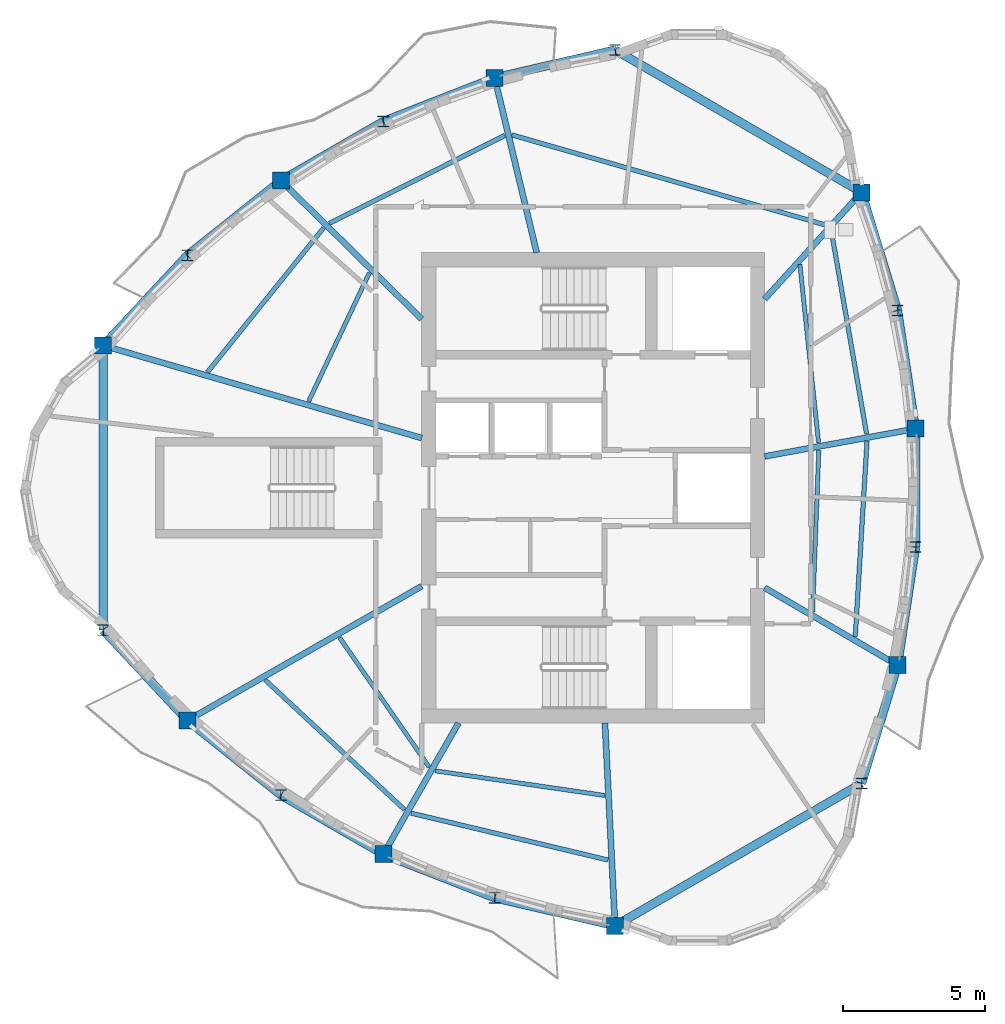
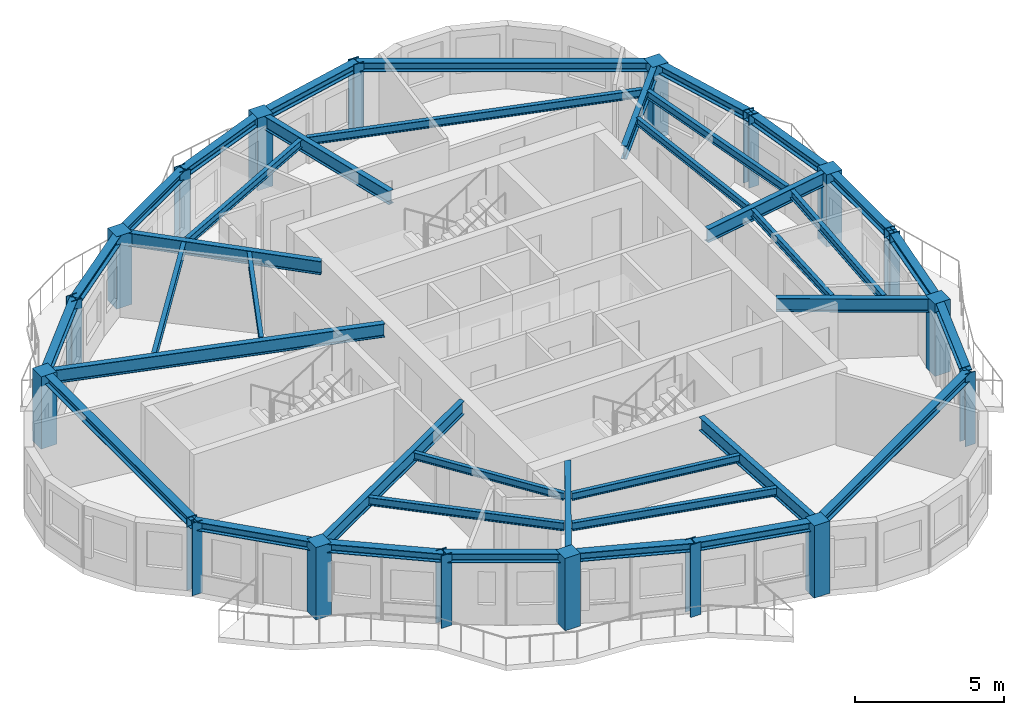
# One storey, part 1 of 11: 39 beams, 18 columns.
"""IFC4 building model written with IfcOpenShell, lengths in metres."""

from ifc_helpers import new_model, si_unit, direction, frame, origin, origin_2d, place, context, subcontext, project, spatial, rectangle, i_section, extrude, source, transform, mapped, material, material_profile, profile_set, type_object, element, save


model = new_model("IFC4")

# Units and contexts
model_context = context("Model", 3, precision=1e-05, world=origin(), true_north=direction((0.0, 1.0)))
body_context = subcontext(model_context, "Body", "Model", "MODEL_VIEW")
ifc_project = project(units=[si_unit("LENGTHUNIT", "METRE"), si_unit("AREAUNIT", "SQUARE_METRE"), si_unit("VOLUMEUNIT", "CUBIC_METRE"), si_unit("PLANEANGLEUNIT", "RADIAN"), si_unit("MASSUNIT", "GRAM", prefix="KILO")], contexts=[model_context])

# Site, building, storey
site_placement = place(None, origin())
site = spatial("IfcSite", under=ifc_project, at=site_placement, CompositionType="ELEMENT")
building_placement = place(site_placement, origin())
building = spatial("IfcBuilding", under=site, at=building_placement, Name="Qafzar Sky-Pleat Residences", CompositionType="ELEMENT")
storey_placement = place(building_placement, frame((0.0, 0.0, 230.800048828125)))
storey = spatial("IfcBuildingStorey", under=building, at=storey_placement, Name="L69", CompositionType="ELEMENT", Elevation=230.800048828125)

# Columns
ifc_material_1 = material(Name="Concrete C50/60", Category="concrete")
ifc_material_profile_1 = material_profile(ifc_material_1, rectangle(XDim=0.60009765625, YDim=0.60009765625, at=origin_2d()), Name="RC 600x600")
ifc_profile_set_1 = profile_set([ifc_material_profile_1], Name="Concrete C50/60")
column_type_1 = type_object("IfcColumnType", Name="COL-RC-600", PredefinedType="COLUMN", material=ifc_profile_set_1)
shared_shape_1 = source(origin(), body_context, "Body", "SweptSolid", [
    extrude(rectangle(XDim=0.60009765625, YDim=0.60009765625, at=origin_2d()), origin(), (0.0, 0.0, 1.0), 2.9599609375),
])
for number, where, z_axis, x_axis, name in (
    (1, (13.054931640625, 31.02294921875, 0.0), (0.0, 0.0, 1.0), (1.0, 0.0, 0.0), "L69 Perimeter Mega Column 1"),
    (2, (16.0341796875, 17.792236328125, 0.0), (0.0, 0.0, 1.0), (1.0, 0.0, 0.0), "L69 Perimeter Mega Column 3"),
    (3, (22.944091796875, 13.070556640625, 0.0), (0.0, 0.0, 1.0), (1.0, 0.0, 0.0), "L69 Perimeter Mega Column 5"),
    (4, (31.12255859375, 10.5458984375, 0.0), (0.0, 0.0, 1.0), (1.0, 0.0, 0.0), "L69 Perimeter Mega Column 7"),
    (5, (41.0908203125, 19.7412109375, 0.0), (0.0, 0.0, 1.0), (1.0, 0.0, 0.0), "L69 Perimeter Mega Column 9"),
    (6, (41.72509765625, 28.086181640625, 0.0), (0.0, 0.0, 1.0), (1.0, 0.0, 0.0), "L69 Perimeter Mega Column 11"),
    (7, (39.822509765625, 36.431396484375, 0.0), (0.0, 0.0, 1.0), (1.0, 0.0, 0.0), "L69 Perimeter Mega Column 13"),
    (8, (26.874755859375, 40.466552734375, 0.0), (0.0, 0.0, 1.0), (1.0, 0.0, 0.0), "L69 Perimeter Mega Column 15"),
    (9, (19.330810546875, 36.84326171875, 0.0), (0.0, 0.0, 1.0), (1.0, 0.0, 0.0), "L69 Perimeter Mega Column 17"),
):
    element("IfcColumn", number, at=place(storey_placement, frame(where, z_axis=z_axis, x_axis=x_axis)), inside=storey, type_object=column_type_1, Name=name, PredefinedType="COLUMN", context=body_context, shape_type="MappedRepresentation", body=[
        mapped(shared_shape_1, transform((0.0, 0.0, 0.0), x_axis=(1.0, 0.0, 0.0), y_axis=(0.0, 1.0, 0.0), z_axis=(0.0, 0.0, 1.0), scale=1.0)),
    ])
ifc_material_2 = material(Name="Steel S355", Category="steel")
ifc_material_profile_2 = material_profile(ifc_material_2, i_section(OverallWidth=0.39794921875, OverallDepth=0.386962890625, WebThickness=0.01904296875, FlangeThickness=0.030029296875, FilletRadius=0.014892578125, at=origin_2d()), Name="HD 400x262")
ifc_profile_set_2 = profile_set([ifc_material_profile_2], Name="Steel S355")
column_type_2 = type_object("IfcColumnType", Name="COL-STL-HD262", PredefinedType="PILASTER", material=ifc_profile_set_2)
shared_shape_2 = source(origin(), body_context, "Body", "SweptSolid", [
    extrude(i_section(OverallWidth=0.39794921875, OverallDepth=0.386962890625, WebThickness=0.01904296875, FlangeThickness=0.030029296875, FilletRadius=0.014892578125, at=origin_2d()), origin(), (0.0, 0.0, 1.0), 2.9599609375),
])
for number, where, z_axis, x_axis, name in (
    (10, (13.054931640625, 20.97705078125, 0.0), (0.0, 0.0, 1.0), (1.0, 0.0, 0.0), "L69 Perimeter Mega Column 2"),
    (11, (19.330810546875, 15.15673828125, 0.0), (0.0, 0.0, 1.0), (1.0, 0.0, 0.0), "L69 Perimeter Mega Column 4"),
    (12, (26.874755859375, 11.533447265625, 0.0), (0.0, 0.0, 1.0), (1.0, 0.0, 0.0), "L69 Perimeter Mega Column 6"),
    (13, (39.822509765625, 15.568603515625, 0.0), (0.0, 0.0, 1.0), (1.0, 0.0, 0.0), "L69 Perimeter Mega Column 8"),
    (14, (41.72509765625, 23.913818359375, 0.0), (0.0, 0.0, 1.0), (1.0, 0.0, 0.0), "L69 Perimeter Mega Column 10"),
    (15, (41.0908203125, 32.2587890625, 0.0), (0.0, 0.0, 1.0), (1.0, 0.0, 0.0), "L69 Perimeter Mega Column 12"),
    (16, (31.12255859375, 41.4541015625, 0.0), (0.0, 0.0, 1.0), (1.0, 0.0, 0.0), "L69 Perimeter Mega Column 14"),
    (17, (22.944091796875, 38.929443359375, 0.0), (0.0, 0.0, 1.0), (1.0, 0.0, 0.0), "L69 Perimeter Mega Column 16"),
    (18, (16.0341796875, 34.207763671875, 0.0), (0.0, 0.0, 1.0), (1.0, 0.0, 0.0), "L69 Perimeter Mega Column 18"),
):
    element("IfcColumn", number, at=place(storey_placement, frame(where, z_axis=z_axis, x_axis=x_axis)), inside=storey, type_object=column_type_2, Name=name, PredefinedType="PILASTER", context=body_context, shape_type="MappedRepresentation", body=[
        mapped(shared_shape_2, transform((0.0, 0.0, 0.0), x_axis=(1.0, 0.0, 0.0), y_axis=(0.0, 1.0, 0.0), z_axis=(0.0, 0.0, 1.0), scale=1.0)),
    ])

# Beams
ifc_material_profile_3 = material_profile(ifc_material_2, i_section(OverallWidth=0.300048828125, OverallDepth=0.360107421875, WebThickness=0.012451171875, FlangeThickness=0.0224609375, FilletRadius=0.027099609375, at=origin_2d()), Name="HEB 360")
ifc_profile_set_3 = profile_set([ifc_material_profile_3], Name="Steel S355")
beam_type_1 = type_object("IfcBeamType", Name="BM-SPAN-HEB360", PredefinedType="SPANDREL", material=ifc_profile_set_3)
shared_shape_3 = source(origin(), body_context, "Body", "SweptSolid", [
    extrude(i_section(OverallWidth=0.300048828125, OverallDepth=0.360107421875, WebThickness=0.012451171875, FlangeThickness=0.0224609375, FilletRadius=0.027099609375, at=origin_2d()), origin(), (0.0, 0.0, 1.0), 10.0458984375),
])
beam_1_placement = place(storey_placement, frame((13.054931640625, 31.02294921875, 2.77783203125), z_axis=(0.0, -1.0, 0.0), x_axis=(1.0, 0.0, 0.0)))
element("IfcBeam", 19, at=beam_1_placement, inside=storey, type_object=beam_type_1, Name="L69 Perimeter Spandrel Beam 1", PredefinedType="SPANDREL", context=body_context, shape_type="MappedRepresentation", body=[
    mapped(shared_shape_3, transform((0.0, 0.0, 0.0), x_axis=(1.0, 0.0, 0.0), y_axis=(0.0, 1.0, 0.0), z_axis=(0.0, 0.0, 1.0), scale=1.0)),
])
shared_shape_4 = source(origin(), body_context, "Body", "SweptSolid", [
    extrude(i_section(OverallWidth=0.300048828125, OverallDepth=0.360107421875, WebThickness=0.012451171875, FlangeThickness=0.0224609375, FilletRadius=0.027099609375, at=origin_2d()), origin(), (0.0, 0.0, 1.0), 4.361083984375),
])
for number, where, z_axis, x_axis, name in (
    (20, (13.054931640625, 20.97705078125, 2.77783203125), (0.683145571965, -0.730282224558, 0.0), (0.730282224558, 0.683145571965, 0.0), "L69 Perimeter Spandrel Beam 2"),
    (21, (26.874755859375, 11.533447265625, 2.77783203125), (0.974023822453, -0.226445563643, 0.0), (0.226445563643, 0.974023822453, 0.0), "L69 Perimeter Spandrel Beam 6"),
    (22, (39.822509765625, 15.568603515625, 2.77783203125), (0.290822997681, 0.956776872641, 0.0), (-0.956776872641, 0.290822997681, 0.0), "L69 Perimeter Spandrel Beam 8"),
    (23, (41.0908203125, 32.2587890625, 2.77783203125), (-0.290822997681, 0.956776872641, 0.0), (-0.956776872641, -0.290822997681, 0.0), "L69 Perimeter Spandrel Beam 12"),
    (24, (31.12255859375, 41.4541015625, 2.77783203125), (-0.974023822453, -0.226445563643, 0.0), (0.226445563643, -0.974023822453, 0.0), "L69 Perimeter Spandrel Beam 14"),
    (25, (16.0341796875, 34.207763671875, 2.77783203125), (-0.683145571965, -0.730282224558, 0.0), (0.730282224558, -0.683145571965, 0.0), "L69 Perimeter Spandrel Beam 18"),
):
    element("IfcBeam", number, at=place(storey_placement, frame(where, z_axis=z_axis, x_axis=x_axis)), inside=storey, type_object=beam_type_1, Name=name, PredefinedType="SPANDREL", context=body_context, shape_type="MappedRepresentation", body=[
        mapped(shared_shape_4, transform((0.0, 0.0, 0.0), x_axis=(1.0, 0.0, 0.0), y_axis=(0.0, 1.0, 0.0), z_axis=(0.0, 0.0, 1.0), scale=1.0)),
    ])
shared_shape_5 = source(origin(), body_context, "Body", "SweptSolid", [
    extrude(i_section(OverallWidth=0.300048828125, OverallDepth=0.360107421875, WebThickness=0.012451171875, FlangeThickness=0.0224609375, FilletRadius=0.027099609375, at=origin_2d()), origin(), (0.0, 0.0, 1.0), 4.220703125),
])
for number, where, z_axis, x_axis, name in (
    (26, (16.0341796875, 17.792236328125, 2.77783203125), (0.781077571238, -0.624434005888, 0.0), (0.624434005888, 0.781077571238, 0.0), "L69 Perimeter Spandrel Beam 3"),
    (27, (19.330810546875, 36.84326171875, 2.77783203125), (-0.781077571238, -0.624434005888, 0.0), (0.624434005888, -0.781077571238, 0.0), "L69 Perimeter Spandrel Beam 17"),
):
    element("IfcBeam", number, at=place(storey_placement, frame(where, z_axis=z_axis, x_axis=x_axis)), inside=storey, type_object=beam_type_1, Name=name, PredefinedType="SPANDREL", context=body_context, shape_type="MappedRepresentation", body=[
        mapped(shared_shape_5, transform((0.0, 0.0, 0.0), x_axis=(1.0, 0.0, 0.0), y_axis=(0.0, 1.0, 0.0), z_axis=(0.0, 0.0, 1.0), scale=1.0)),
    ])
shared_shape_6 = source(origin(), body_context, "Body", "SweptSolid", [
    extrude(i_section(OverallWidth=0.300048828125, OverallDepth=0.360107421875, WebThickness=0.012451171875, FlangeThickness=0.0224609375, FilletRadius=0.027099609375, at=origin_2d()), origin(), (0.0, 0.0, 1.0), 4.17236328125),
])
for number, where, z_axis, x_axis, name in (
    (28, (19.330810546875, 15.15673828125, 2.77783203125), (0.866019930389, -0.500009480079, 0.0), (0.500009480079, 0.866019930389, 0.0), "L69 Perimeter Spandrel Beam 4"),
    (29, (41.72509765625, 23.913818359375, 2.77783203125), (0.0, 1.0, 0.0), (-1.0, 0.0, 0.0), "L69 Perimeter Spandrel Beam 10"),
    (30, (22.944091796875, 38.929443359375, 2.77783203125), (-0.866019930389, -0.500009480079, 0.0), (0.500009480079, -0.866019930389, 0.0), "L69 Perimeter Spandrel Beam 16"),
):
    element("IfcBeam", number, at=place(storey_placement, frame(where, z_axis=z_axis, x_axis=x_axis)), inside=storey, type_object=beam_type_1, Name=name, PredefinedType="SPANDREL", context=body_context, shape_type="MappedRepresentation", body=[
        mapped(shared_shape_6, transform((0.0, 0.0, 0.0), x_axis=(1.0, 0.0, 0.0), y_axis=(0.0, 1.0, 0.0), z_axis=(0.0, 0.0, 1.0), scale=1.0)),
    ])
shared_shape_7 = source(origin(), body_context, "Body", "SweptSolid", [
    extrude(i_section(OverallWidth=0.300048828125, OverallDepth=0.360107421875, WebThickness=0.012451171875, FlangeThickness=0.0224609375, FilletRadius=0.027099609375, at=origin_2d()), origin(), (0.0, 0.0, 1.0), 4.220458984375),
])
for number, where, z_axis, x_axis, name in (
    (31, (22.944091796875, 13.070556640625, 2.77783203125), (0.931321276977, -0.364198680736, 0.0), (0.364198680736, 0.931321276977, 0.0), "L69 Perimeter Spandrel Beam 5"),
    (32, (41.0908203125, 19.7412109375, 2.77783203125), (0.150283446733, 0.988642951544, 0.0), (-0.988642951544, 0.150283446733, 0.0), "L69 Perimeter Spandrel Beam 9"),
    (33, (41.72509765625, 28.086181640625, 2.77783203125), (-0.150283446733, 0.988642951544, 0.0), (-0.988642951544, -0.150283446733, 0.0), "L69 Perimeter Spandrel Beam 11"),
    (34, (26.874755859375, 40.466552734375, 2.77783203125), (-0.931321276977, -0.364198680736, 0.0), (0.364198680736, -0.931321276977, 0.0), "L69 Perimeter Spandrel Beam 15"),
):
    element("IfcBeam", number, at=place(storey_placement, frame(where, z_axis=z_axis, x_axis=x_axis)), inside=storey, type_object=beam_type_1, Name=name, PredefinedType="SPANDREL", context=body_context, shape_type="MappedRepresentation", body=[
        mapped(shared_shape_7, transform((0.0, 0.0, 0.0), x_axis=(1.0, 0.0, 0.0), y_axis=(0.0, 1.0, 0.0), z_axis=(0.0, 0.0, 1.0), scale=1.0)),
    ])
shared_shape_8 = source(origin(), body_context, "Body", "SweptSolid", [
    extrude(i_section(OverallWidth=0.300048828125, OverallDepth=0.360107421875, WebThickness=0.012451171875, FlangeThickness=0.0224609375, FilletRadius=0.027099609375, at=origin_2d()), origin(), (0.0, 0.0, 1.0), 10.045654296875),
])
for number, where, z_axis, x_axis, name in (
    (35, (31.12255859375, 10.5458984375, 2.77783203125), (0.866034631067, 0.499984017537, 0.0), (-0.499984017537, 0.866034631067, 0.0), "L69 Perimeter Spandrel Beam 7"),
    (36, (39.822509765625, 36.431396484375, 2.77783203125), (-0.866034631067, 0.499984017537, 0.0), (-0.499984017537, -0.866034631067, 0.0), "L69 Perimeter Spandrel Beam 13"),
):
    element("IfcBeam", number, at=place(storey_placement, frame(where, z_axis=z_axis, x_axis=x_axis)), inside=storey, type_object=beam_type_1, Name=name, PredefinedType="SPANDREL", context=body_context, shape_type="MappedRepresentation", body=[
        mapped(shared_shape_8, transform((0.0, 0.0, 0.0), x_axis=(1.0, 0.0, 0.0), y_axis=(0.0, 1.0, 0.0), z_axis=(0.0, 0.0, 1.0), scale=1.0)),
    ])
ifc_material_profile_4 = material_profile(ifc_material_2, i_section(OverallWidth=0.2099609375, OverallDepth=0.550048828125, WebThickness=0.010986328125, FlangeThickness=0.01708984375, FilletRadius=0.02392578125, at=origin_2d()), Name="IPE 550")
ifc_profile_set_4 = profile_set([ifc_material_profile_4], Name="Steel S355")
beam_type_2 = type_object("IfcBeamType", Name="BM-SEC-IPE550", PredefinedType="BEAM", material=ifc_profile_set_4)
shared_shape_9 = source(origin(), body_context, "Body", "SweptSolid", [
    extrude(i_section(OverallWidth=0.2099609375, OverallDepth=0.550048828125, WebThickness=0.010986328125, FlangeThickness=0.01708984375, FilletRadius=0.02392578125, at=origin_2d()), origin(), (0.0, 0.0, 1.0), 11.709716796875),
])
beam_2_placement = place(storey_placement, frame((13.054931640625, 31.02294921875, 2.682861328125), z_axis=(0.96031975059, -0.278901374373, 0.0), x_axis=(0.278901374373, 0.96031975059, 0.0)))
element("IfcBeam", 37, at=beam_2_placement, inside=storey, type_object=beam_type_2, Name="L69 Radial Floor Girder 1", PredefinedType="BEAM", context=body_context, shape_type="MappedRepresentation", body=[
    mapped(shared_shape_9, transform((0.0, 0.0, 0.0), x_axis=(1.0, 0.0, 0.0), y_axis=(0.0, 1.0, 0.0), z_axis=(0.0, 0.0, 1.0), scale=1.0)),
])
shared_shape_10 = source(origin(), body_context, "Body", "SweptSolid", [
    extrude(i_section(OverallWidth=0.2099609375, OverallDepth=0.550048828125, WebThickness=0.010986328125, FlangeThickness=0.01708984375, FilletRadius=0.02392578125, at=origin_2d()), origin(), (0.0, 0.0, 1.0), 9.528076171875),
])
beam_3_placement = place(storey_placement, frame((16.0341796875, 17.792236328125, 2.682861328125), z_axis=(0.86753426155, 0.497377427148, 0.0), x_axis=(-0.497377427148, 0.86753426155, 0.0)))
element("IfcBeam", 38, at=beam_3_placement, inside=storey, type_object=beam_type_2, Name="L69 Radial Floor Girder 3", PredefinedType="BEAM", context=body_context, shape_type="MappedRepresentation", body=[
    mapped(shared_shape_10, transform((0.0, 0.0, 0.0), x_axis=(1.0, 0.0, 0.0), y_axis=(0.0, 1.0, 0.0), z_axis=(0.0, 0.0, 1.0), scale=1.0)),
])
shared_shape_11 = source(origin(), body_context, "Body", "SweptSolid", [
    extrude(i_section(OverallWidth=0.2099609375, OverallDepth=0.550048828125, WebThickness=0.010986328125, FlangeThickness=0.01708984375, FilletRadius=0.02392578125, at=origin_2d()), origin(), (0.0, 0.0, 1.0), 5.335205078125),
])
beam_4_placement = place(storey_placement, frame((22.944091796875, 13.070556640625, 2.682861328125), z_axis=(0.497055288621, 0.867718871556, 0.0), x_axis=(-0.867718871556, 0.497055288621, 0.0)))
element("IfcBeam", 39, at=beam_4_placement, inside=storey, type_object=beam_type_2, Name="L69 Radial Floor Girder 5", PredefinedType="BEAM", context=body_context, shape_type="MappedRepresentation", body=[
    mapped(shared_shape_11, transform((0.0, 0.0, 0.0), x_axis=(1.0, 0.0, 0.0), y_axis=(0.0, 1.0, 0.0), z_axis=(0.0, 0.0, 1.0), scale=1.0)),
])
shared_shape_12 = source(origin(), body_context, "Body", "SweptSolid", [
    extrude(i_section(OverallWidth=0.2099609375, OverallDepth=0.550048828125, WebThickness=0.010986328125, FlangeThickness=0.01708984375, FilletRadius=0.02392578125, at=origin_2d()), origin(), (0.0, 0.0, 1.0), 7.1630859375),
])
beam_5_placement = place(storey_placement, frame((31.12255859375, 10.5458984375, 2.682861328125), z_axis=(-0.049932517148, 0.998752593855, 0.0), x_axis=(-0.998752593855, -0.049932517148, 0.0)))
element("IfcBeam", 40, at=beam_5_placement, inside=storey, type_object=beam_type_2, Name="L69 Radial Floor Girder 7", PredefinedType="BEAM", context=body_context, shape_type="MappedRepresentation", body=[
    mapped(shared_shape_12, transform((0.0, 0.0, 0.0), x_axis=(1.0, 0.0, 0.0), y_axis=(0.0, 1.0, 0.0), z_axis=(0.0, 0.0, 1.0), scale=1.0)),
])
shared_shape_13 = source(origin(), body_context, "Body", "SweptSolid", [
    extrude(i_section(OverallWidth=0.2099609375, OverallDepth=0.550048828125, WebThickness=0.010986328125, FlangeThickness=0.01708984375, FilletRadius=0.02392578125, at=origin_2d()), origin(), (0.0, 0.0, 1.0), 5.42919921875),
])
beam_6_placement = place(storey_placement, frame((41.0908203125, 19.7412109375, 2.682861328125), z_axis=(-0.864016925636, 0.503462761498, 0.0), x_axis=(-0.503462761498, -0.864016925636, 0.0)))
element("IfcBeam", 41, at=beam_6_placement, inside=storey, type_object=beam_type_2, Name="L69 Radial Floor Girder 9", PredefinedType="BEAM", context=body_context, shape_type="MappedRepresentation", body=[
    mapped(shared_shape_13, transform((0.0, 0.0, 0.0), x_axis=(1.0, 0.0, 0.0), y_axis=(0.0, 1.0, 0.0), z_axis=(0.0, 0.0, 1.0), scale=1.0)),
])
shared_shape_14 = source(origin(), body_context, "Body", "SweptSolid", [
    extrude(i_section(OverallWidth=0.2099609375, OverallDepth=0.550048828125, WebThickness=0.010986328125, FlangeThickness=0.01708984375, FilletRadius=0.02392578125, at=origin_2d()), origin(), (0.0, 0.0, 1.0), 5.4140625),
])
beam_7_placement = place(storey_placement, frame((41.72509765625, 28.086181640625, 2.682861328125), z_axis=(-0.983597491217, -0.180377313629, 0.0), x_axis=(0.180377313629, -0.983597491217, 0.0)))
element("IfcBeam", 42, at=beam_7_placement, inside=storey, type_object=beam_type_2, Name="L69 Radial Floor Girder 11", PredefinedType="BEAM", context=body_context, shape_type="MappedRepresentation", body=[
    mapped(shared_shape_14, transform((0.0, 0.0, 0.0), x_axis=(1.0, 0.0, 0.0), y_axis=(0.0, 1.0, 0.0), z_axis=(0.0, 0.0, 1.0), scale=1.0)),
])
shared_shape_15 = source(origin(), body_context, "Body", "SweptSolid", [
    extrude(i_section(OverallWidth=0.2099609375, OverallDepth=0.550048828125, WebThickness=0.010986328125, FlangeThickness=0.01708984375, FilletRadius=0.02392578125, at=origin_2d()), origin(), (0.0, 0.0, 1.0), 5.091064453125),
])
beam_8_placement = place(storey_placement, frame((39.822509765625, 36.431396484375, 2.682861328125), z_axis=(-0.672264541765, -0.740311006189, 0.0), x_axis=(0.740311006189, -0.672264541765, 0.0)))
element("IfcBeam", 43, at=beam_8_placement, inside=storey, type_object=beam_type_2, Name="L69 Radial Floor Girder 13", PredefinedType="BEAM", context=body_context, shape_type="MappedRepresentation", body=[
    mapped(shared_shape_15, transform((0.0, 0.0, 0.0), x_axis=(1.0, 0.0, 0.0), y_axis=(0.0, 1.0, 0.0), z_axis=(0.0, 0.0, 1.0), scale=1.0)),
])
shared_shape_16 = source(origin(), body_context, "Body", "SweptSolid", [
    extrude(i_section(OverallWidth=0.2099609375, OverallDepth=0.550048828125, WebThickness=0.010986328125, FlangeThickness=0.01708984375, FilletRadius=0.02392578125, at=origin_2d()), origin(), (0.0, 0.0, 1.0), 6.342041015625),
])
beam_9_placement = place(storey_placement, frame((26.874755859375, 40.466552734375, 2.682861328125), z_axis=(0.233594255251, -0.972334162679, 0.0), x_axis=(0.972334162679, 0.233594255251, 0.0)))
element("IfcBeam", 44, at=beam_9_placement, inside=storey, type_object=beam_type_2, Name="L69 Radial Floor Girder 15", PredefinedType="BEAM", context=body_context, shape_type="MappedRepresentation", body=[
    mapped(shared_shape_16, transform((0.0, 0.0, 0.0), x_axis=(1.0, 0.0, 0.0), y_axis=(0.0, 1.0, 0.0), z_axis=(0.0, 0.0, 1.0), scale=1.0)),
])
shared_shape_17 = source(origin(), body_context, "Body", "SweptSolid", [
    extrude(i_section(OverallWidth=0.2099609375, OverallDepth=0.550048828125, WebThickness=0.010986328125, FlangeThickness=0.01708984375, FilletRadius=0.02392578125, at=origin_2d()), origin(), (0.0, 0.0, 1.0), 6.9716796875),
])
beam_10_placement = place(storey_placement, frame((19.330810546875, 36.84326171875, 2.682861328125), z_axis=(0.712774452221, -0.701393313527, 0.0), x_axis=(0.701393313527, 0.712774452221, 0.0)))
element("IfcBeam", 45, at=beam_10_placement, inside=storey, type_object=beam_type_2, Name="L69 Radial Floor Girder 17", PredefinedType="BEAM", context=body_context, shape_type="MappedRepresentation", body=[
    mapped(shared_shape_17, transform((0.0, 0.0, 0.0), x_axis=(1.0, 0.0, 0.0), y_axis=(0.0, 1.0, 0.0), z_axis=(0.0, 0.0, 1.0), scale=1.0)),
])
ifc_material_profile_5 = material_profile(ifc_material_2, i_section(OverallWidth=0.159912109375, OverallDepth=0.330078125, WebThickness=0.007568359375, FlangeThickness=0.011474609375, FilletRadius=0.01806640625, at=origin_2d()), Name="IPE 330")
ifc_profile_set_5 = profile_set([ifc_material_profile_5], Name="Steel S355")
beam_type_3 = type_object("IfcBeamType", Name="BM-JST-IPE330", PredefinedType="JOIST", material=ifc_profile_set_5)
shared_shape_18 = source(origin(), body_context, "Body", "SweptSolid", [
    extrude(i_section(OverallWidth=0.159912109375, OverallDepth=0.330078125, WebThickness=0.007568359375, FlangeThickness=0.011474609375, FilletRadius=0.01806640625, at=origin_2d()), origin(), (0.0, 0.0, 1.0), 6.7138671875),
])
beam_11_placement = place(storey_placement, frame((18.7783203125, 19.216796875, 2.79296875), z_axis=(0.732155950712, -0.681137037488, 0.0), x_axis=(0.681137037488, 0.732155950712, 0.0)))
element("IfcBeam", 46, at=beam_11_placement, inside=storey, type_object=beam_type_3, Name="L69 Outer Secondary Floor Joist 2", PredefinedType="JOIST", context=body_context, shape_type="MappedRepresentation", body=[
    mapped(shared_shape_18, transform((0.0, 0.0, 0.0), x_axis=(1.0, 0.0, 0.0), y_axis=(0.0, 1.0, 0.0), z_axis=(0.0, 0.0, 1.0), scale=1.0)),
])
shared_shape_19 = source(origin(), body_context, "Body", "SweptSolid", [
    extrude(i_section(OverallWidth=0.159912109375, OverallDepth=0.330078125, WebThickness=0.007568359375, FlangeThickness=0.011474609375, FilletRadius=0.01806640625, at=origin_2d()), origin(), (0.0, 0.0, 1.0), 7.146728515625),
])
beam_12_placement = place(storey_placement, frame((23.924072265625, 14.520751953125, 2.79296875), z_axis=(0.972840658281, -0.231475816438, 0.0), x_axis=(0.231475816438, 0.972840658281, 0.0)))
element("IfcBeam", 47, at=beam_12_placement, inside=storey, type_object=beam_type_3, Name="L69 Outer Secondary Floor Joist 3", PredefinedType="JOIST", context=body_context, shape_type="MappedRepresentation", body=[
    mapped(shared_shape_19, transform((0.0, 0.0, 0.0), x_axis=(1.0, 0.0, 0.0), y_axis=(0.0, 1.0, 0.0), z_axis=(0.0, 0.0, 1.0), scale=1.0)),
])
shared_shape_20 = source(origin(), body_context, "Body", "SweptSolid", [
    extrude(i_section(OverallWidth=0.159912109375, OverallDepth=0.330078125, WebThickness=0.007568359375, FlangeThickness=0.011474609375, FilletRadius=0.01806640625, at=origin_2d()), origin(), (0.0, 0.0, 1.0), 6.90087890625),
])
beam_13_placement = place(storey_placement, frame((39.597900390625, 20.75048828125, 2.79296875), z_axis=(0.060142571509, 0.998189797129, 0.0), x_axis=(-0.998189797129, 0.060142571509, 0.0)))
element("IfcBeam", 48, at=beam_13_placement, inside=storey, type_object=beam_type_3, Name="L69 Outer Secondary Floor Joist 5", PredefinedType="JOIST", context=body_context, shape_type="MappedRepresentation", body=[
    mapped(shared_shape_20, transform((0.0, 0.0, 0.0), x_axis=(1.0, 0.0, 0.0), y_axis=(0.0, 1.0, 0.0), z_axis=(0.0, 0.0, 1.0), scale=1.0)),
])
shared_shape_21 = source(origin(), body_context, "Body", "SweptSolid", [
    extrude(i_section(OverallWidth=0.159912109375, OverallDepth=0.330078125, WebThickness=0.007568359375, FlangeThickness=0.011474609375, FilletRadius=0.01806640625, at=origin_2d()), origin(), (0.0, 0.0, 1.0), 7.29296875),
])
beam_14_placement = place(storey_placement, frame((39.998046875, 27.90673828125, 2.79296875), z_axis=(-0.171061445114, 0.985260362542, 0.0), x_axis=(-0.985260362542, -0.171061445114, 0.0)))
element("IfcBeam", 49, at=beam_14_placement, inside=storey, type_object=beam_type_3, Name="L69 Outer Secondary Floor Joist 6", PredefinedType="JOIST", context=body_context, shape_type="MappedRepresentation", body=[
    mapped(shared_shape_21, transform((0.0, 0.0, 0.0), x_axis=(1.0, 0.0, 0.0), y_axis=(0.0, 1.0, 0.0), z_axis=(0.0, 0.0, 1.0), scale=1.0)),
])
shared_shape_22 = source(origin(), body_context, "Body", "SweptSolid", [
    extrude(i_section(OverallWidth=0.159912109375, OverallDepth=0.330078125, WebThickness=0.007568359375, FlangeThickness=0.011474609375, FilletRadius=0.01806640625, at=origin_2d()), origin(), (0.0, 0.0, 1.0), 11.568359375),
])
beam_15_placement = place(storey_placement, frame((38.597412109375, 35.262451171875, 2.79296875), z_axis=(-0.961139955234, 0.276061562796, 0.0), x_axis=(-0.276061562796, -0.961139955234, 0.0)))
element("IfcBeam", 50, at=beam_15_placement, inside=storey, type_object=beam_type_3, Name="L69 Outer Secondary Floor Joist 7", PredefinedType="JOIST", context=body_context, shape_type="MappedRepresentation", body=[
    mapped(shared_shape_22, transform((0.0, 0.0, 0.0), x_axis=(1.0, 0.0, 0.0), y_axis=(0.0, 1.0, 0.0), z_axis=(0.0, 0.0, 1.0), scale=1.0)),
])
shared_shape_23 = source(origin(), body_context, "Body", "SweptSolid", [
    extrude(i_section(OverallWidth=0.159912109375, OverallDepth=0.330078125, WebThickness=0.007568359375, FlangeThickness=0.011474609375, FilletRadius=0.01806640625, at=origin_2d()), origin(), (0.0, 0.0, 1.0), 6.9169921875),
])
beam_16_placement = place(storey_placement, frame((27.22802734375, 38.432861328125, 2.79296875), z_axis=(-0.894384832537, -0.447298302397, 0.0), x_axis=(0.447298302397, -0.894384832537, 0.0)))
element("IfcBeam", 51, at=beam_16_placement, inside=storey, type_object=beam_type_3, Name="L69 Outer Secondary Floor Joist 8", PredefinedType="JOIST", context=body_context, shape_type="MappedRepresentation", body=[
    mapped(shared_shape_23, transform((0.0, 0.0, 0.0), x_axis=(1.0, 0.0, 0.0), y_axis=(0.0, 1.0, 0.0), z_axis=(0.0, 0.0, 1.0), scale=1.0)),
])
shared_shape_24 = source(origin(), body_context, "Body", "SweptSolid", [
    extrude(i_section(OverallWidth=0.159912109375, OverallDepth=0.330078125, WebThickness=0.007568359375, FlangeThickness=0.011474609375, FilletRadius=0.01806640625, at=origin_2d()), origin(), (0.0, 0.0, 1.0), 6.534912109375),
])
beam_17_placement = place(storey_placement, frame((20.836181640625, 35.17333984375, 2.79296875), z_axis=(-0.627106722311, -0.778933346848, 0.0), x_axis=(0.778933346848, -0.627106722311, 0.0)))
element("IfcBeam", 52, at=beam_17_placement, inside=storey, type_object=beam_type_3, Name="L69 Outer Secondary Floor Joist 9", PredefinedType="JOIST", context=body_context, shape_type="MappedRepresentation", body=[
    mapped(shared_shape_24, transform((0.0, 0.0, 0.0), x_axis=(1.0, 0.0, 0.0), y_axis=(0.0, 1.0, 0.0), z_axis=(0.0, 0.0, 1.0), scale=1.0)),
])
ifc_material_profile_6 = material_profile(ifc_material_2, i_section(OverallWidth=0.14990234375, OverallDepth=0.300048828125, WebThickness=0.007080078125, FlangeThickness=0.0107421875, FilletRadius=0.014892578125, at=origin_2d()), Name="IPE 300")
ifc_profile_set_6 = profile_set([ifc_material_profile_6], Name="Steel S355")
beam_type_4 = type_object("IfcBeamType", Name="BM-JST-IPE300", PredefinedType="JOIST", material=ifc_profile_set_6)
shared_shape_25 = source(origin(), body_context, "Body", "SweptSolid", [
    extrude(i_section(OverallWidth=0.14990234375, OverallDepth=0.300048828125, WebThickness=0.007080078125, FlangeThickness=0.0107421875, FilletRadius=0.014892578125, at=origin_2d()), origin(), (0.0, 0.0, 1.0), 5.55810546875),
])
beam_18_placement = place(storey_placement, frame((21.401123046875, 20.71435546875, 2.807861328125), z_axis=(0.569141453224, -0.822239628224, 0.0), x_axis=(0.822239628224, 0.569141453224, 0.0)))
element("IfcBeam", 53, at=beam_18_placement, inside=storey, type_object=beam_type_4, Name="L69 Inner Secondary Floor Joist 2", PredefinedType="JOIST", context=body_context, shape_type="MappedRepresentation", body=[
    mapped(shared_shape_25, transform((0.0, 0.0, 0.0), x_axis=(1.0, 0.0, 0.0), y_axis=(0.0, 1.0, 0.0), z_axis=(0.0, 0.0, 1.0), scale=1.0)),
])
shared_shape_26 = source(origin(), body_context, "Body", "SweptSolid", [
    extrude(i_section(OverallWidth=0.14990234375, OverallDepth=0.300048828125, WebThickness=0.007080078125, FlangeThickness=0.0107421875, FilletRadius=0.014892578125, at=origin_2d()), origin(), (0.0, 0.0, 1.0), 6.048095703125),
])
beam_19_placement = place(storey_placement, frame((24.77490234375, 16.013916015625, 2.807861328125), z_axis=(0.98959689106, -0.143867971435, 0.0), x_axis=(0.143867971435, 0.98959689106, 0.0)))
element("IfcBeam", 54, at=beam_19_placement, inside=storey, type_object=beam_type_4, Name="L69 Inner Secondary Floor Joist 3", PredefinedType="JOIST", context=body_context, shape_type="MappedRepresentation", body=[
    mapped(shared_shape_26, transform((0.0, 0.0, 0.0), x_axis=(1.0, 0.0, 0.0), y_axis=(0.0, 1.0, 0.0), z_axis=(0.0, 0.0, 1.0), scale=1.0)),
])
shared_shape_27 = source(origin(), body_context, "Body", "SweptSolid", [
    extrude(i_section(OverallWidth=0.14990234375, OverallDepth=0.300048828125, WebThickness=0.007080078125, FlangeThickness=0.0107421875, FilletRadius=0.014892578125, at=origin_2d()), origin(), (0.0, 0.0, 1.0), 5.705078125),
])
beam_20_placement = place(storey_placement, frame((38.093994140625, 21.62548828125, 2.807861328125), z_axis=(0.038214539636, 0.999269557707, 0.0), x_axis=(-0.999269557707, 0.038214539636, 0.0)))
element("IfcBeam", 55, at=beam_20_placement, inside=storey, type_object=beam_type_4, Name="L69 Inner Secondary Floor Joist 5", PredefinedType="JOIST", context=body_context, shape_type="MappedRepresentation", body=[
    mapped(shared_shape_27, transform((0.0, 0.0, 0.0), x_axis=(1.0, 0.0, 0.0), y_axis=(0.0, 1.0, 0.0), z_axis=(0.0, 0.0, 1.0), scale=1.0)),
])
shared_shape_28 = source(origin(), body_context, "Body", "SweptSolid", [
    extrude(i_section(OverallWidth=0.14990234375, OverallDepth=0.300048828125, WebThickness=0.007080078125, FlangeThickness=0.0107421875, FilletRadius=0.014892578125, at=origin_2d()), origin(), (0.0, 0.0, 1.0), 6.32373046875),
])
beam_21_placement = place(storey_placement, frame((38.302978515625, 27.595458984375, 2.807861328125), z_axis=(-0.103890931647, 0.994588696056, 0.0), x_axis=(-0.994588696056, -0.103890931647, 0.0)))
element("IfcBeam", 56, at=beam_21_placement, inside=storey, type_object=beam_type_4, Name="L69 Inner Secondary Floor Joist 6", PredefinedType="JOIST", context=body_context, shape_type="MappedRepresentation", body=[
    mapped(shared_shape_28, transform((0.0, 0.0, 0.0), x_axis=(1.0, 0.0, 0.0), y_axis=(0.0, 1.0, 0.0), z_axis=(0.0, 0.0, 1.0), scale=1.0)),
])
shared_shape_29 = source(origin(), body_context, "Body", "SweptSolid", [
    extrude(i_section(OverallWidth=0.14990234375, OverallDepth=0.300048828125, WebThickness=0.007080078125, FlangeThickness=0.0107421875, FilletRadius=0.014892578125, at=origin_2d()), origin(), (0.0, 0.0, 1.0), 5.017822265625),
])
beam_22_placement = place(storey_placement, frame((22.453369140625, 33.591552734375, 2.807861328125), z_axis=(-0.42723283349, -0.904141640446, 0.0), x_axis=(0.904141640446, -0.42723283349, 0.0)))
element("IfcBeam", 57, at=beam_22_placement, inside=storey, type_object=beam_type_4, Name="L69 Inner Secondary Floor Joist 9", PredefinedType="JOIST", context=body_context, shape_type="MappedRepresentation", body=[
    mapped(shared_shape_29, transform((0.0, 0.0, 0.0), x_axis=(1.0, 0.0, 0.0), y_axis=(0.0, 1.0, 0.0), z_axis=(0.0, 0.0, 1.0), scale=1.0)),
])

save(model, "model.ifc")
